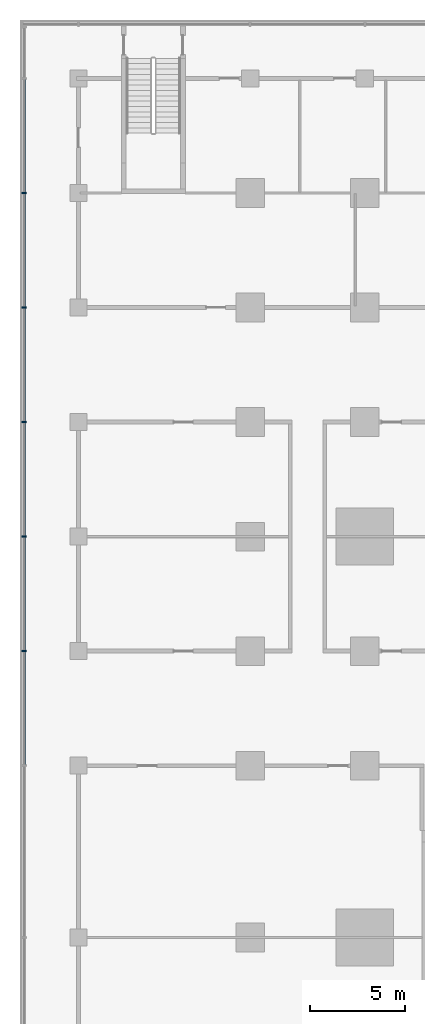
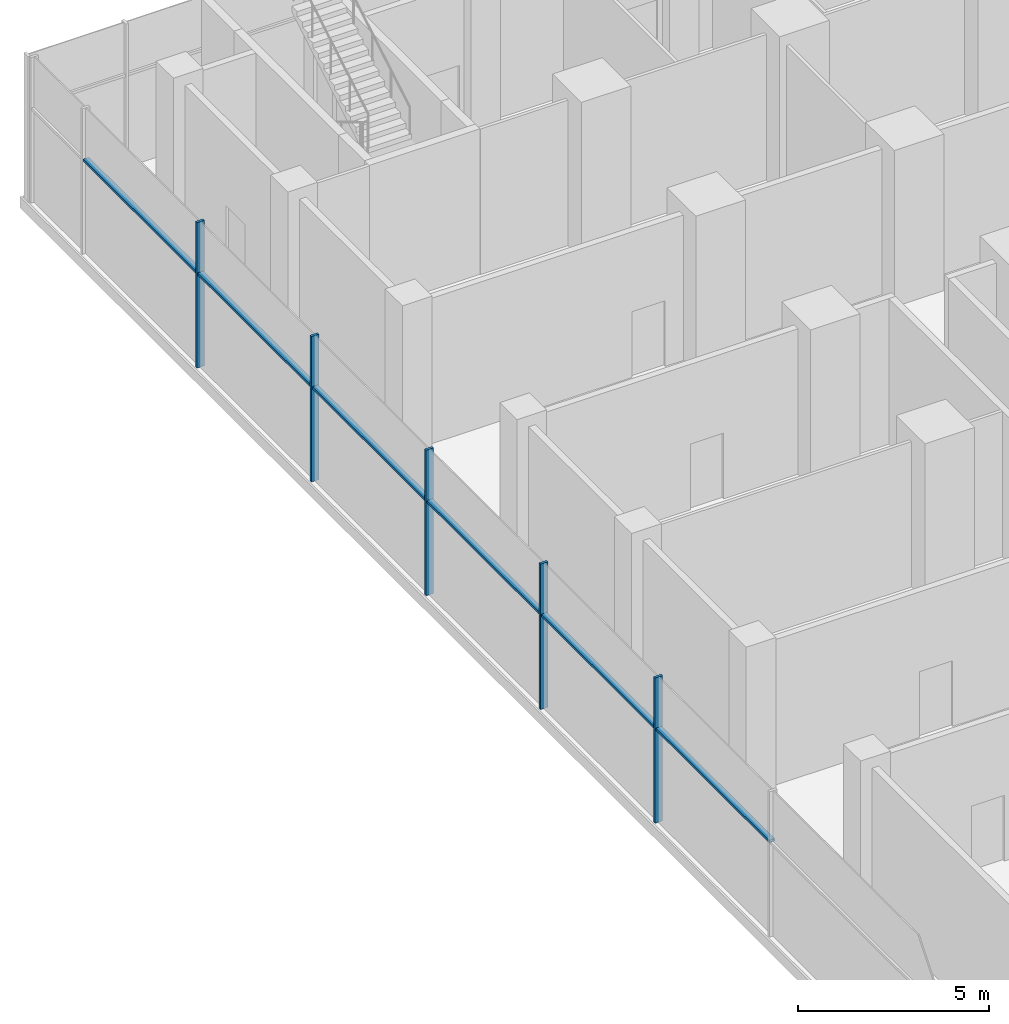
# One storey, part 4 of 22: 11 members, 1 element without a shape of its own.
"""IFC4 building model written with IfcOpenShell, lengths in metres."""

import ifcopenshell
import ifcopenshell.guid

model = None  # the IFC model being written
_history = None  # IfcOwnerHistory: only IFC2X3 demands one
_inside = {}  # id of a spatial element -> (the spatial element, [elements in it])
_under = {}  # id of a project, library or spatial element -> (it, [spatial elements below it])
_declared = {}  # id of a project -> (the project, [libraries it declares])
_typed = {}  # id of a type object -> (the type object, [elements of that type])
_made_of = {}  # id of a material, layer set ... -> (it, [elements and type objects made of it])


def new_model(schema):
    """Start an empty IFC model of exactly this schema.

    Asked for "IFC4X3", IfcOpenShell would pick the latest addendum, in which some entities
    have other attributes; the version numbers below select the first issue.
    IFC2X3 requires an IfcOwnerHistory on every rooted entity: one is made here for all.
    """
    global model, _history
    if schema == "IFC4X3":
        model = ifcopenshell.file(schema_version=(4, 3, 0, 0))
    else:
        model = ifcopenshell.file(schema=schema)
    _inside.clear()
    _under.clear()
    _declared.clear()
    _typed.clear()
    _made_of.clear()
    _history = None
    if model.schema == "IFC2X3":
        org = make("IfcOrganization", Name="unknown")
        user = make(
            "IfcPersonAndOrganization",
            ThePerson=make("IfcPerson", FamilyName="unknown"),
            TheOrganization=org,
        )
        app = make(
            "IfcApplication",
            ApplicationDeveloper=org,
            Version="unknown",
            ApplicationFullName="unknown",
            ApplicationIdentifier="unknown",
        )
        _history = make(
            "IfcOwnerHistory",
            OwningUser=user,
            OwningApplication=app,
            ChangeAction="ADDED",
            CreationDate=0,
        )
    return model


def make(cls, **values):
    """One entity of the class cls with the attributes given. An attribute that is None is left unset."""
    return model.create_entity(
        cls, **{name: value for name, value in values.items() if value is not None}
    )


def rooted(cls, **values):
    """An entity with a GlobalId (a new one), such as an element, a storey or a relation."""
    return make(cls, GlobalId=ifcopenshell.guid.new(), OwnerHistory=_history, **values)


def si_unit(unit_type, name, prefix=None):
    """IfcSIUnit, for example si_unit("LENGTHUNIT", "METRE", prefix="MILLI")."""
    return make("IfcSIUnit", UnitType=unit_type, Prefix=prefix, Name=name)


def assignment(units):
    """IfcUnitAssignment: the units of a project."""
    return None if units is None else make("IfcUnitAssignment", Units=units)


def point(xyz):
    """IfcCartesianPoint."""
    return None if xyz is None else make("IfcCartesianPoint", Coordinates=xyz)


def direction(xyz):
    """IfcDirection."""
    return None if xyz is None else make("IfcDirection", DirectionRatios=xyz)


def frame(location, z_axis=None, x_axis=None):
    """IfcAxis2Placement3D, a coordinate frame: its origin and axes. An axis left out is left unset."""
    return make(
        "IfcAxis2Placement3D",
        Location=point(location),
        Axis=direction(z_axis),
        RefDirection=direction(x_axis),
    )


def frame_2d(location, x_axis=None):
    """IfcAxis2Placement2D, a coordinate frame in the plane: its origin and x axis."""
    return make(
        "IfcAxis2Placement2D", Location=point(location), RefDirection=direction(x_axis)
    )


def origin():
    """The frame at (0, 0, 0) with its axes left unset."""
    return frame((0.0, 0.0, 0.0))


def origin_2d():
    """The frame at (0, 0) in the plane with its x axis left unset."""
    return frame_2d((0.0, 0.0))


def place(relative_to, where):
    """IfcLocalPlacement: puts the frame where relative to a parent placement (None: the world)."""
    return make(
        "IfcLocalPlacement", PlacementRelTo=relative_to, RelativePlacement=where
    )


def context(
    kind, dimensions, precision=None, world=None, true_north=None, identifier=None
):
    """IfcGeometricRepresentationContext, for example the 3D "Model" context."""
    return make(
        "IfcGeometricRepresentationContext",
        ContextIdentifier=identifier,
        ContextType=kind,
        CoordinateSpaceDimension=dimensions,
        Precision=precision,
        WorldCoordinateSystem=world,
        TrueNorth=true_north,
    )


def subcontext(parent, identifier, kind, view, scale=None):
    """IfcGeometricRepresentationSubContext, for example "Body" below "Model"."""
    return make(
        "IfcGeometricRepresentationSubContext",
        ContextIdentifier=identifier,
        ContextType=kind,
        ParentContext=parent,
        TargetScale=scale,
        TargetView=view,
    )


def project(units=None, contexts=None):
    """IfcProject with its units and contexts."""
    return rooted(
        "IfcProject",
        Name="project",
        RepresentationContexts=contexts,
        UnitsInContext=assignment(units),
    )


def spatial(cls, under=None, at=None, **own):
    """A site, building, storey or space (cls), placed at a placement, below another one or the project."""
    s = rooted(cls, ObjectPlacement=at, **own)
    if under is not None:
        _under.setdefault(under.id(), (under, []))[1].append(s)
    return s


def profile(cls, at=None, kind="AREA", **sizes):
    """A parametric profile (cls). Its sizes go by their IFC names, for example OverallWidth=200.0."""
    return make(cls, ProfileType=kind, Position=at, **sizes)


def rectangle(**sizes):
    """IfcRectangleProfileDef."""
    return profile("IfcRectangleProfileDef", **sizes)


def extrude(swept, where, along, depth):
    """IfcExtrudedAreaSolid: the profile swept, set in the frame where, extruded along a direction by depth."""
    return make(
        "IfcExtrudedAreaSolid",
        SweptArea=swept,
        Position=where,
        ExtrudedDirection=direction(along),
        Depth=depth,
    )


def shape(context_of_items, identifier, shape_type, items):
    """IfcShapeRepresentation: the items that make up one representation, for example the "Body"."""
    return make(
        "IfcShapeRepresentation",
        ContextOfItems=context_of_items,
        RepresentationIdentifier=identifier,
        RepresentationType=shape_type,
        Items=items,
    )


def material(Name=None, Category=None):
    """IfcMaterial."""
    return make("IfcMaterial", Name=Name, Category=Category)


def material_profile(
    of_material, cross_section, Name=None, Category=None, Priority=None
):
    """IfcMaterialProfile: a cross section and its material."""
    return make(
        "IfcMaterialProfile",
        Name=Name,
        Material=of_material,
        Profile=cross_section,
        Priority=Priority,
        Category=Category,
    )


def profile_set(profiles, Name=None, composite=None):
    """IfcMaterialProfileSet."""
    return make(
        "IfcMaterialProfileSet",
        Name=Name,
        MaterialProfiles=profiles,
        CompositeProfile=composite,
    )


def made_of(thing, what):
    """Note that an element or type object is made of a material, layer set ...; save() writes the relation."""
    if what is not None:
        _made_of.setdefault(what.id(), (what, []))[1].append(thing)
    return thing


def type_object(cls, material=None, **own):
    """A type object (cls), such as IfcWallType, which elements share."""
    return made_of(rooted(cls, **own), material)


def element(
    cls,
    number,
    at=None,
    inside=None,
    cuts=None,
    type_object=None,
    material=None,
    context=None,
    identifier="Body",
    shape_type=None,
    held_by="IfcProductDefinitionShape",
    body=None,
    shapes=None,
    **own,
):
    """One element of the class cls, such as IfcWall. Its Tag is "e" and its number.

    at: its placement. inside: the storey or other place that contains it. cuts: it is an
    opening in that element (IfcRelVoidsElement). A single representation is given by context,
    identifier, shape_type and body (its items); several are given by shapes. held_by: the class
    of the entity that holds the representations. save() writes the other relations.
    """
    e = rooted(cls, Tag="e%d" % number, ObjectPlacement=at, **own)
    if body is not None:
        shapes = [shape(context, identifier, shape_type, body)]
    if shapes is not None:
        e.Representation = make(held_by, Representations=shapes)
    if inside is not None:
        _inside.setdefault(inside.id(), (inside, []))[1].append(e)
    if cuts is not None:
        rooted(
            "IfcRelVoidsElement", RelatingBuildingElement=cuts, RelatedOpeningElement=e
        )
    if type_object is not None:
        _typed.setdefault(type_object.id(), (type_object, []))[1].append(e)
    return made_of(e, material)


def aggregate(whole, parts):
    """IfcRelAggregates: a whole, such as a stair, and the parts it consists of."""
    return rooted("IfcRelAggregates", RelatingObject=whole, RelatedObjects=parts)


def save(model, path):
    """Write the relations noted so far, then the file.

    IfcRelAggregates (storeys below a building ...), IfcRelContainedInSpatialStructure (elements
    in a storey), IfcRelDefinesByType, IfcRelAssociatesMaterial and IfcRelDeclares: one each for
    every whole, place, type object, material and project.
    """
    for whole, parts in _under.values():
        aggregate(whole, parts)
    for where, things in _inside.values():
        rooted(
            "IfcRelContainedInSpatialStructure",
            RelatedElements=things,
            RelatingStructure=where,
        )
    for kind, things in _typed.values():
        rooted("IfcRelDefinesByType", RelatedObjects=things, RelatingType=kind)
    for what, things in _made_of.values():
        rooted("IfcRelAssociatesMaterial", RelatedObjects=things, RelatingMaterial=what)
    for by, libraries in _declared.values():
        rooted("IfcRelDeclares", RelatingContext=by, RelatedDefinitions=libraries)
    model.write(path)


model = new_model("IFC4")

# Units and contexts
model_context = context("Model", 3, precision=1e-05, world=origin(), true_north=direction((0.0, 1.0)))
body_context = subcontext(model_context, "Body", "Model", "MODEL_VIEW")
ifc_project = project(units=[si_unit("LENGTHUNIT", "METRE"), si_unit("AREAUNIT", "SQUARE_METRE"), si_unit("VOLUMEUNIT", "CUBIC_METRE"), si_unit("PLANEANGLEUNIT", "RADIAN"), si_unit("MASSUNIT", "GRAM", prefix="KILO")], contexts=[model_context])

# Site, building, storey
site_placement = place(None, origin())
site = spatial("IfcSite", under=ifc_project, at=site_placement, CompositionType="ELEMENT")
building_placement = place(site_placement, origin())
building = spatial("IfcBuilding", under=site, at=building_placement, Name="Finial Court Residences", CompositionType="ELEMENT")
storey_placement = place(building_placement, frame((0.0, 0.0, 18.5)))
storey = spatial("IfcBuildingStorey", under=building, at=storey_placement, Name="L03", CompositionType="ELEMENT", Elevation=18.5)

# Curtain wall, members
ifc_material = material(Name="Bronze anodised aluminium", Category="aluminium")
curtain_wall_type = type_object("IfcCurtainWallType", Name="Podium curtain wall", PredefinedType="NOTDEFINED", material=ifc_material)
curtain_wall_placement = place(storey_placement, origin())
curtain_wall = element("IfcCurtainWall", 1, at=curtain_wall_placement, inside=storey, type_object=curtain_wall_type, Name="E-L03-CW-W4", PredefinedType="NOTDEFINED")
ifc_material_profile_1 = material_profile(ifc_material, rectangle(XDim=0.22509765625, YDim=0.080078125, at=origin_2d()), Name="CW5 mullion 80 x 225")
ifc_profile_set_1 = profile_set([ifc_material_profile_1], Name="Bronze anodised aluminium")
member_type_1 = type_object("IfcMemberType", Name="CW5 mullion 80 x 225", PredefinedType="MULLION", material=ifc_profile_set_1)
member_1_placement = place(storey_placement, frame((-34.35009765625, 1.5, 0.0), z_axis=(0.0, 0.0, 1.0), x_axis=(-1.0, 0.0, 0.0)))
member_1 = element("IfcMember", 2, at=member_1_placement, type_object=member_type_1, Name="CW5 mullion 6", PredefinedType="MULLION", context=body_context, shape_type="SweptSolid", body=[
    extrude(rectangle(XDim=0.22509765625, YDim=0.080078125, at=origin_2d()), origin(), (0.0, 0.0, 1.0), 4.64990234375),
])
member_2_placement = place(storey_placement, frame((-34.35009765625, 7.5, 0.0), z_axis=(0.0, 0.0, 1.0), x_axis=(-1.0, 0.0, 0.0)))
member_2 = element("IfcMember", 3, at=member_2_placement, type_object=member_type_1, Name="CW5 mullion 7", PredefinedType="MULLION", context=body_context, shape_type="SweptSolid", body=[
    extrude(rectangle(XDim=0.22509765625, YDim=0.080078125, at=origin_2d()), origin(), (0.0, 0.0, 1.0), 4.64990234375),
])
member_3_placement = place(storey_placement, frame((-34.35009765625, 13.5, 0.0), z_axis=(0.0, 0.0, 1.0), x_axis=(-1.0, 0.0, 0.0)))
member_3 = element("IfcMember", 4, at=member_3_placement, type_object=member_type_1, Name="CW5 mullion 8", PredefinedType="MULLION", context=body_context, shape_type="SweptSolid", body=[
    extrude(rectangle(XDim=0.22509765625, YDim=0.080078125, at=origin_2d()), origin(), (0.0, 0.0, 1.0), 4.64990234375),
])
member_4_placement = place(storey_placement, frame((-34.35009765625, 19.5, 0.0), z_axis=(0.0, 0.0, 1.0), x_axis=(-1.0, 0.0, 0.0)))
member_4 = element("IfcMember", 5, at=member_4_placement, type_object=member_type_1, Name="CW5 mullion 9", PredefinedType="MULLION", context=body_context, shape_type="SweptSolid", body=[
    extrude(rectangle(XDim=0.22509765625, YDim=0.080078125, at=origin_2d()), origin(), (0.0, 0.0, 1.0), 4.64990234375),
])
member_5_placement = place(storey_placement, frame((-34.35009765625, 25.5, 0.0), z_axis=(0.0, 0.0, 1.0), x_axis=(-1.0, 0.0, 0.0)))
member_5 = element("IfcMember", 6, at=member_5_placement, type_object=member_type_1, Name="CW5 mullion 10", PredefinedType="MULLION", context=body_context, shape_type="SweptSolid", body=[
    extrude(rectangle(XDim=0.22509765625, YDim=0.080078125, at=origin_2d()), origin(), (0.0, 0.0, 1.0), 4.64990234375),
])
ifc_material_profile_2 = material_profile(ifc_material, rectangle(XDim=0.175048828125, YDim=0.080078125, at=origin_2d()), Name="CW5 transom 80 x 175")
ifc_profile_set_2 = profile_set([ifc_material_profile_2], Name="Bronze anodised aluminium")
member_type_2 = type_object("IfcMemberType", Name="CW5 transom 80 x 175", PredefinedType="USERDEFINED", material=ifc_profile_set_2)
member_6_placement = place(storey_placement, frame((-34.35009765625, -4.4599609375, 3.0), z_axis=(0.0, 1.0, 0.0), x_axis=(-1.0, 0.0, 0.0)))
member_6 = element("IfcMember", 7, at=member_6_placement, type_object=member_type_2, Name="CW5 transom 5.1", ObjectType="TRANSOM", PredefinedType="USERDEFINED", context=body_context, shape_type="SweptSolid", body=[
    extrude(rectangle(XDim=0.175048828125, YDim=0.080078125, at=origin_2d()), origin(), (0.0, 0.0, 1.0), 5.919921875),
])
member_7_placement = place(storey_placement, frame((-34.35009765625, 1.5400390625, 3.0), z_axis=(0.0, 1.0, 0.0), x_axis=(-1.0, 0.0, 0.0)))
member_7 = element("IfcMember", 8, at=member_7_placement, type_object=member_type_2, Name="CW5 transom 6.1", ObjectType="TRANSOM", PredefinedType="USERDEFINED", context=body_context, shape_type="SweptSolid", body=[
    extrude(rectangle(XDim=0.175048828125, YDim=0.080078125, at=origin_2d()), origin(), (0.0, 0.0, 1.0), 5.919921875),
])
member_8_placement = place(storey_placement, frame((-34.35009765625, 7.5400390625, 3.0), z_axis=(0.0, 1.0, 0.0), x_axis=(-1.0, 0.0, 0.0)))
member_8 = element("IfcMember", 9, at=member_8_placement, type_object=member_type_2, Name="CW5 transom 7.1", ObjectType="TRANSOM", PredefinedType="USERDEFINED", context=body_context, shape_type="SweptSolid", body=[
    extrude(rectangle(XDim=0.175048828125, YDim=0.080078125, at=origin_2d()), origin(), (0.0, 0.0, 1.0), 5.919921875),
])
member_9_placement = place(storey_placement, frame((-34.35009765625, 13.5400390625, 3.0), z_axis=(0.0, 1.0, 0.0), x_axis=(-1.0, 0.0, 0.0)))
member_9 = element("IfcMember", 10, at=member_9_placement, type_object=member_type_2, Name="CW5 transom 8.1", ObjectType="TRANSOM", PredefinedType="USERDEFINED", context=body_context, shape_type="SweptSolid", body=[
    extrude(rectangle(XDim=0.175048828125, YDim=0.080078125, at=origin_2d()), origin(), (0.0, 0.0, 1.0), 5.919921875),
])
member_10_placement = place(storey_placement, frame((-34.35009765625, 19.5400390625, 3.0), z_axis=(0.0, 1.0, 0.0), x_axis=(-1.0, 0.0, 0.0)))
member_10 = element("IfcMember", 11, at=member_10_placement, type_object=member_type_2, Name="CW5 transom 9.1", ObjectType="TRANSOM", PredefinedType="USERDEFINED", context=body_context, shape_type="SweptSolid", body=[
    extrude(rectangle(XDim=0.175048828125, YDim=0.080078125, at=origin_2d()), origin(), (0.0, 0.0, 1.0), 5.919921875),
])
member_11_placement = place(storey_placement, frame((-34.35009765625, 25.5400390625, 3.0), z_axis=(0.0, 1.0, 0.0), x_axis=(-1.0, 0.0, 0.0)))
member_11 = element("IfcMember", 12, at=member_11_placement, type_object=member_type_2, Name="CW5 transom 10.1", ObjectType="TRANSOM", PredefinedType="USERDEFINED", context=body_context, shape_type="SweptSolid", body=[
    extrude(rectangle(XDim=0.175048828125, YDim=0.080078125, at=origin_2d()), origin(), (0.0, 0.0, 1.0), 5.919921875),
])
aggregate(curtain_wall, [member_1, member_2, member_3, member_4, member_5, member_6, member_7, member_8, member_9, member_10, member_11])

save(model, "model.ifc")
